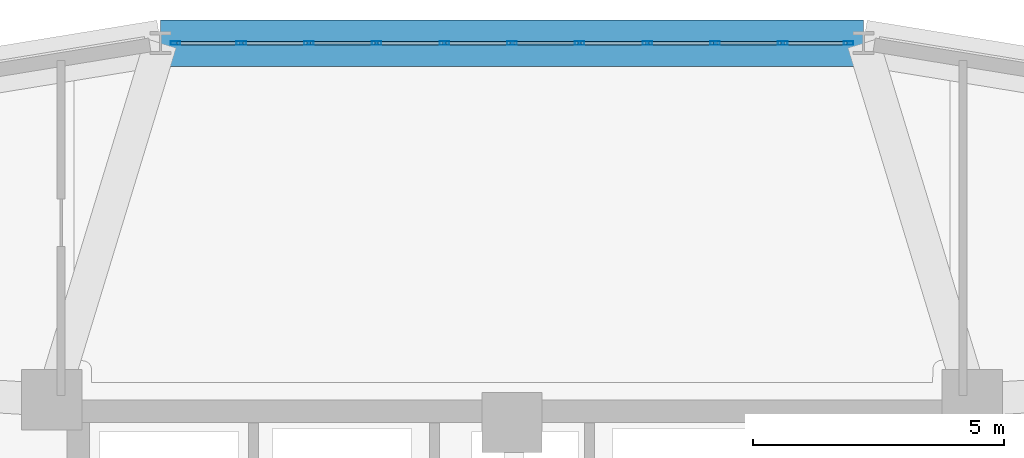
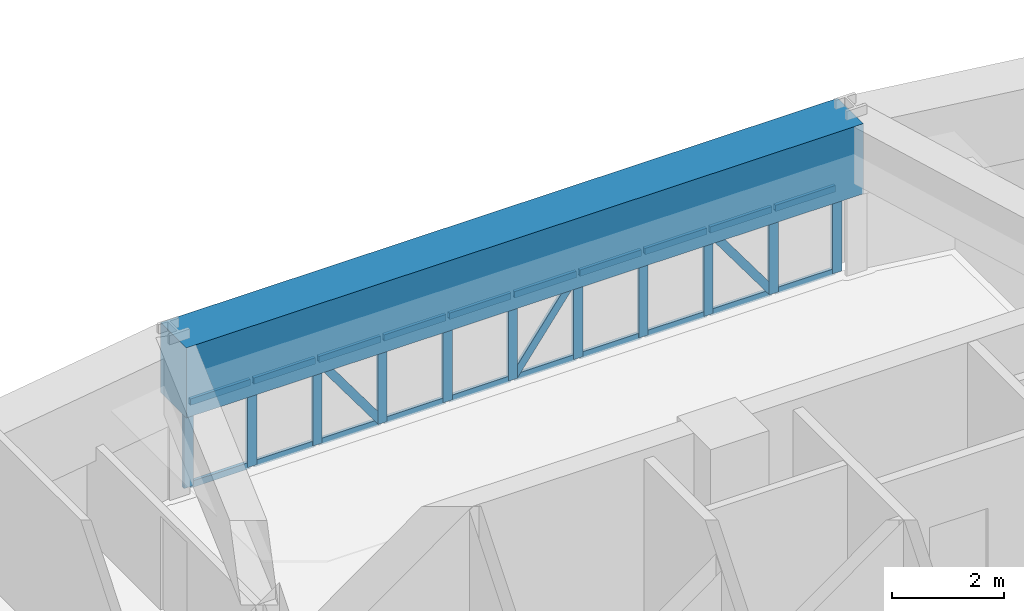
# One storey, part 8 of 15: 34 members, 1 beam, 1 element without a shape of its own.
"""IFC4 building model written with IfcOpenShell, lengths in metres."""

from ifc_helpers import new_model, si_unit, derived_unit, direction, frame, origin, origin_2d, place, context, subcontext, project, spatial, rectangle, hollow_rectangle, extrude, source, transform, mapped, material, layer, layer_set, material_profile, profile_set, type_object, element, aggregate, save


model = new_model("IFC4")

# Units and contexts
model_context = context("Model", 3, precision=1e-05, world=origin(), true_north=direction((0.0, 1.0)))
body_context = subcontext(model_context, "Body", "Model", "MODEL_VIEW")
ifc_project = project(units=[si_unit("LENGTHUNIT", "METRE"), si_unit("AREAUNIT", "SQUARE_METRE"), si_unit("VOLUMEUNIT", "CUBIC_METRE"), si_unit("PLANEANGLEUNIT", "RADIAN"), si_unit("MASSUNIT", "GRAM", prefix="KILO"), derived_unit("THERMALTRANSMITTANCEUNIT", [(si_unit("POWERUNIT", "WATT"), 1), (si_unit("LENGTHUNIT", "METRE"), -2), (si_unit("THERMODYNAMICTEMPERATUREUNIT", "KELVIN"), -1)])], contexts=[model_context])

# Site, building, storey
site_placement = place(None, origin())
site = spatial("IfcSite", under=ifc_project, at=site_placement, CompositionType="ELEMENT")
building_placement = place(site_placement, origin())
building = spatial("IfcBuilding", under=site, at=building_placement, Name="Korsvarv Bourse and Concert Hall", CompositionType="ELEMENT")
storey_placement = place(building_placement, frame((0.0, 0.0, 113.39990234375)))
storey = spatial("IfcBuildingStorey", under=building, at=storey_placement, Name="L28", CompositionType="ELEMENT", Elevation=113.39990234375)

# Beam
ifc_material_1 = material(Name="Concrete C50/60", Category="concrete")
ifc_material_profile_1 = material_profile(ifc_material_1, rectangle(XDim=0.919921875, YDim=1.530029296875, at=origin_2d()), Name="RC-BM 920x1530")
ifc_profile_set_1 = profile_set([ifc_material_profile_1], Name="Concrete C50/60")
beam_type = type_object("IfcBeamType", Name="BM-TR-154", PredefinedType="BEAM", material=ifc_profile_set_1)
shared_shape_1 = source(origin(), body_context, "Body", "SweptSolid", [
    extrude(rectangle(XDim=0.919921875, YDim=1.530029296875, at=origin_2d()), origin(), (0.0, 0.0, 1.0), 13.97607421875),
])
beam_placement = place(storey_placement, frame((42.988037109375, 54.344482421875, 2.635009765625), z_axis=(-1.0, 0.0, 0.0), x_axis=(0.0, -1.0, 0.0)))
element("IfcBeam", 1, at=beam_placement, inside=storey, type_object=beam_type, Name="L28 beam B-TR6", PredefinedType="BEAM", context=body_context, shape_type="MappedRepresentation", body=[
    mapped(shared_shape_1, transform((0.0, 0.0, 0.0), scale=1.0)),
])

# Curtain wall, members
ifc_material_2 = material(Name="Anodised aluminium and triple low-E glazing", Category="glass")
ifc_layer = layer(ifc_material_2, 0.2099609375)
ifc_layer_set = layer_set([ifc_layer], Name="Anodised aluminium and triple low-E glazing")
curtain_wall_type = type_object("IfcCurtainWallType", Name="CW-SYS-2", PredefinedType="NOTDEFINED", material=ifc_layer_set)
curtain_wall_placement = place(storey_placement, origin())
curtain_wall = element("IfcCurtainWall", 2, at=curtain_wall_placement, inside=storey, type_object=curtain_wall_type, Name="L28 CW2 curtain wall CW-L28-F03", PredefinedType="NOTDEFINED")
ifc_material_3 = material(Name="Extruded aluminium EN AW-6063 T66", Category="aluminium")
ifc_material_profile_2 = material_profile(ifc_material_3, hollow_rectangle(XDim=0.070068359375, YDim=0.18994140625, WallThickness=0.0048828125, at=origin_2d()), Name="ALU-M 70x190")
ifc_profile_set_2 = profile_set([ifc_material_profile_2], Name="Extruded aluminium EN AW-6063 T66")
member_type_1 = type_object("IfcMemberType", Name="CWM-190", PredefinedType="MULLION", material=ifc_profile_set_2)
shared_shape_2 = source(origin(), body_context, "Body", "SweptSolid", [
    extrude(hollow_rectangle(XDim=0.070068359375, YDim=0.18994140625, WallThickness=0.0048828125, at=origin_2d()), origin(), (0.0, 0.0, 1.0), 1.8701171875),
])
member_1_placement = place(storey_placement, frame((42.694091796875, 54.344482421875, 0.0), z_axis=(0.0, 0.0, 1.0), x_axis=(0.0, -1.0, 0.0)))
member_1 = element("IfcMember", 3, at=member_1_placement, type_object=member_type_1, Name="CW2 mullion 1", PredefinedType="MULLION", context=body_context, shape_type="MappedRepresentation", body=[
    mapped(shared_shape_2, transform((0.0, 0.0, 0.0), scale=1.0)),
])
member_2_placement = place(storey_placement, frame((41.38330078125, 54.344482421875, 0.0), z_axis=(0.0, 0.0, 1.0), x_axis=(0.0, -1.0, 0.0)))
member_2 = element("IfcMember", 4, at=member_2_placement, type_object=member_type_1, Name="CW2 mullion 2", PredefinedType="MULLION", context=body_context, shape_type="MappedRepresentation", body=[
    mapped(shared_shape_2, transform((0.0, 0.0, 0.0), scale=1.0)),
])
member_3_placement = place(storey_placement, frame((40.037353515625, 54.344482421875, 0.0), z_axis=(0.0, 0.0, 1.0), x_axis=(0.0, -1.0, 0.0)))
member_3 = element("IfcMember", 5, at=member_3_placement, type_object=member_type_1, Name="CW2 mullion 3", PredefinedType="MULLION", context=body_context, shape_type="MappedRepresentation", body=[
    mapped(shared_shape_2, transform((0.0, 0.0, 0.0), scale=1.0)),
])
member_4_placement = place(storey_placement, frame((38.691650390625, 54.344482421875, 0.0), z_axis=(0.0, 0.0, 1.0), x_axis=(0.0, -1.0, 0.0)))
member_4 = element("IfcMember", 6, at=member_4_placement, type_object=member_type_1, Name="CW2 mullion 4", PredefinedType="MULLION", context=body_context, shape_type="MappedRepresentation", body=[
    mapped(shared_shape_2, transform((0.0, 0.0, 0.0), scale=1.0)),
])
member_5_placement = place(storey_placement, frame((37.345703125, 54.344482421875, 0.0), z_axis=(0.0, 0.0, 1.0), x_axis=(0.0, -1.0, 0.0)))
member_5 = element("IfcMember", 7, at=member_5_placement, type_object=member_type_1, Name="CW2 mullion 5", PredefinedType="MULLION", context=body_context, shape_type="MappedRepresentation", body=[
    mapped(shared_shape_2, transform((0.0, 0.0, 0.0), scale=1.0)),
])
member_6_placement = place(storey_placement, frame((36.0, 54.344482421875, 0.0), z_axis=(0.0, 0.0, 1.0), x_axis=(0.0, -1.0, 0.0)))
member_6 = element("IfcMember", 8, at=member_6_placement, type_object=member_type_1, Name="CW2 mullion 6", PredefinedType="MULLION", context=body_context, shape_type="MappedRepresentation", body=[
    mapped(shared_shape_2, transform((0.0, 0.0, 0.0), scale=1.0)),
])
member_7_placement = place(storey_placement, frame((34.654296875, 54.344482421875, 0.0), z_axis=(0.0, 0.0, 1.0), x_axis=(0.0, -1.0, 0.0)))
member_7 = element("IfcMember", 9, at=member_7_placement, type_object=member_type_1, Name="CW2 mullion 7", PredefinedType="MULLION", context=body_context, shape_type="MappedRepresentation", body=[
    mapped(shared_shape_2, transform((0.0, 0.0, 0.0), scale=1.0)),
])
member_8_placement = place(storey_placement, frame((33.308349609375, 54.344482421875, 0.0), z_axis=(0.0, 0.0, 1.0), x_axis=(0.0, -1.0, 0.0)))
member_8 = element("IfcMember", 10, at=member_8_placement, type_object=member_type_1, Name="CW2 mullion 8", PredefinedType="MULLION", context=body_context, shape_type="MappedRepresentation", body=[
    mapped(shared_shape_2, transform((0.0, 0.0, 0.0), scale=1.0)),
])
member_9_placement = place(storey_placement, frame((31.962646484375, 54.344482421875, 0.0), z_axis=(0.0, 0.0, 1.0), x_axis=(0.0, -1.0, 0.0)))
member_9 = element("IfcMember", 11, at=member_9_placement, type_object=member_type_1, Name="CW2 mullion 9", PredefinedType="MULLION", context=body_context, shape_type="MappedRepresentation", body=[
    mapped(shared_shape_2, transform((0.0, 0.0, 0.0), scale=1.0)),
])
member_10_placement = place(storey_placement, frame((30.61669921875, 54.344482421875, 0.0), z_axis=(0.0, 0.0, 1.0), x_axis=(0.0, -1.0, 0.0)))
member_10 = element("IfcMember", 12, at=member_10_placement, type_object=member_type_1, Name="CW2 mullion 10", PredefinedType="MULLION", context=body_context, shape_type="MappedRepresentation", body=[
    mapped(shared_shape_2, transform((0.0, 0.0, 0.0), scale=1.0)),
])
member_11_placement = place(storey_placement, frame((29.305908203125, 54.344482421875, 0.0), z_axis=(0.0, 0.0, 1.0), x_axis=(0.0, -1.0, 0.0)))
member_11 = element("IfcMember", 13, at=member_11_placement, type_object=member_type_1, Name="CW2 mullion 11", PredefinedType="MULLION", context=body_context, shape_type="MappedRepresentation", body=[
    mapped(shared_shape_2, transform((0.0, 0.0, 0.0), scale=1.0)),
])
ifc_material_profile_3 = material_profile(ifc_material_3, hollow_rectangle(XDim=0.06494140625, YDim=0.139892578125, WallThickness=0.00390625, at=origin_2d()), Name="ALU-T 65x140")
ifc_profile_set_3 = profile_set([ifc_material_profile_3], Name="Extruded aluminium EN AW-6063 T66")
member_type_2 = type_object("IfcMemberType", Name="CWT-140", PredefinedType="USERDEFINED", material=ifc_profile_set_3)
shared_shape_3 = source(origin(), body_context, "Body", "SweptSolid", [
    extrude(hollow_rectangle(XDim=0.06494140625, YDim=0.139892578125, WallThickness=0.00390625, at=origin_2d()), origin(), (0.0, 0.0, 1.0), 1.24072265625),
])
member_12_placement = place(storey_placement, frame((42.658935546875, 54.344482421875, 0.03271484375), z_axis=(-1.0, 0.0, 0.0), x_axis=(0.0, -1.0, 0.0)))
member_12 = element("IfcMember", 14, at=member_12_placement, type_object=member_type_2, Name="CW2 transom 1.1", ObjectType="TRANSOM", PredefinedType="USERDEFINED", context=body_context, shape_type="MappedRepresentation", body=[
    mapped(shared_shape_3, transform((0.0, 0.0, 0.0), scale=1.0)),
])
member_13_placement = place(storey_placement, frame((42.658935546875, 54.344482421875, 1.837646484375), z_axis=(-1.0, 0.0, 0.0), x_axis=(0.0, -1.0, 0.0)))
member_13 = element("IfcMember", 15, at=member_13_placement, type_object=member_type_2, Name="CW2 transom 1.2", ObjectType="TRANSOM", PredefinedType="USERDEFINED", context=body_context, shape_type="MappedRepresentation", body=[
    mapped(shared_shape_3, transform((0.0, 0.0, 0.0), scale=1.0)),
])
member_14_placement = place(storey_placement, frame((30.581787109375, 54.344482421875, 0.03271484375), z_axis=(-1.0, 0.0, 0.0), x_axis=(0.0, -1.0, 0.0)))
member_14 = element("IfcMember", 16, at=member_14_placement, type_object=member_type_2, Name="CW2 transom 10.1", ObjectType="TRANSOM", PredefinedType="USERDEFINED", context=body_context, shape_type="MappedRepresentation", body=[
    mapped(shared_shape_3, transform((0.0, 0.0, 0.0), scale=1.0)),
])
member_15_placement = place(storey_placement, frame((30.581787109375, 54.344482421875, 1.837646484375), z_axis=(-1.0, 0.0, 0.0), x_axis=(0.0, -1.0, 0.0)))
member_15 = element("IfcMember", 17, at=member_15_placement, type_object=member_type_2, Name="CW2 transom 10.2", ObjectType="TRANSOM", PredefinedType="USERDEFINED", context=body_context, shape_type="MappedRepresentation", body=[
    mapped(shared_shape_3, transform((0.0, 0.0, 0.0), scale=1.0)),
])
shared_shape_4 = source(origin(), body_context, "Body", "SweptSolid", [
    extrude(hollow_rectangle(XDim=0.06494140625, YDim=0.139892578125, WallThickness=0.00390625, at=origin_2d()), origin(), (0.0, 0.0, 1.0), 1.275634765625),
])
member_16_placement = place(storey_placement, frame((41.34814453125, 54.344482421875, 0.03271484375), z_axis=(-1.0, 0.0, 0.0), x_axis=(0.0, -1.0, 0.0)))
member_16 = element("IfcMember", 18, at=member_16_placement, type_object=member_type_2, Name="CW2 transom 2.1", ObjectType="TRANSOM", PredefinedType="USERDEFINED", context=body_context, shape_type="MappedRepresentation", body=[
    mapped(shared_shape_4, transform((0.0, 0.0, 0.0), scale=1.0)),
])
member_17_placement = place(storey_placement, frame((41.34814453125, 54.344482421875, 1.837646484375), z_axis=(-1.0, 0.0, 0.0), x_axis=(0.0, -1.0, 0.0)))
member_17 = element("IfcMember", 19, at=member_17_placement, type_object=member_type_2, Name="CW2 transom 2.2", ObjectType="TRANSOM", PredefinedType="USERDEFINED", context=body_context, shape_type="MappedRepresentation", body=[
    mapped(shared_shape_4, transform((0.0, 0.0, 0.0), scale=1.0)),
])
member_18_placement = place(storey_placement, frame((38.656494140625, 54.344482421875, 0.03271484375), z_axis=(-1.0, 0.0, 0.0), x_axis=(0.0, -1.0, 0.0)))
member_18 = element("IfcMember", 20, at=member_18_placement, type_object=member_type_2, Name="CW2 transom 4.1", ObjectType="TRANSOM", PredefinedType="USERDEFINED", context=body_context, shape_type="MappedRepresentation", body=[
    mapped(shared_shape_4, transform((0.0, 0.0, 0.0), scale=1.0)),
])
member_19_placement = place(storey_placement, frame((38.656494140625, 54.344482421875, 1.837646484375), z_axis=(-1.0, 0.0, 0.0), x_axis=(0.0, -1.0, 0.0)))
member_19 = element("IfcMember", 21, at=member_19_placement, type_object=member_type_2, Name="CW2 transom 4.2", ObjectType="TRANSOM", PredefinedType="USERDEFINED", context=body_context, shape_type="MappedRepresentation", body=[
    mapped(shared_shape_4, transform((0.0, 0.0, 0.0), scale=1.0)),
])
member_20_placement = place(storey_placement, frame((34.619140625, 54.344482421875, 0.03271484375), z_axis=(-1.0, 0.0, 0.0), x_axis=(0.0, -1.0, 0.0)))
member_20 = element("IfcMember", 22, at=member_20_placement, type_object=member_type_2, Name="CW2 transom 7.1", ObjectType="TRANSOM", PredefinedType="USERDEFINED", context=body_context, shape_type="MappedRepresentation", body=[
    mapped(shared_shape_4, transform((0.0, 0.0, 0.0), scale=1.0)),
])
member_21_placement = place(storey_placement, frame((34.619140625, 54.344482421875, 1.837646484375), z_axis=(-1.0, 0.0, 0.0), x_axis=(0.0, -1.0, 0.0)))
member_21 = element("IfcMember", 23, at=member_21_placement, type_object=member_type_2, Name="CW2 transom 7.2", ObjectType="TRANSOM", PredefinedType="USERDEFINED", context=body_context, shape_type="MappedRepresentation", body=[
    mapped(shared_shape_4, transform((0.0, 0.0, 0.0), scale=1.0)),
])
member_22_placement = place(storey_placement, frame((31.927490234375, 54.344482421875, 0.03271484375), z_axis=(-1.0, 0.0, 0.0), x_axis=(0.0, -1.0, 0.0)))
member_22 = element("IfcMember", 24, at=member_22_placement, type_object=member_type_2, Name="CW2 transom 9.1", ObjectType="TRANSOM", PredefinedType="USERDEFINED", context=body_context, shape_type="MappedRepresentation", body=[
    mapped(shared_shape_4, transform((0.0, 0.0, 0.0), scale=1.0)),
])
member_23_placement = place(storey_placement, frame((31.927490234375, 54.344482421875, 1.837646484375), z_axis=(-1.0, 0.0, 0.0), x_axis=(0.0, -1.0, 0.0)))
member_23 = element("IfcMember", 25, at=member_23_placement, type_object=member_type_2, Name="CW2 transom 9.2", ObjectType="TRANSOM", PredefinedType="USERDEFINED", context=body_context, shape_type="MappedRepresentation", body=[
    mapped(shared_shape_4, transform((0.0, 0.0, 0.0), scale=1.0)),
])
ifc_material_profile_4 = material_profile(ifc_material_3, hollow_rectangle(XDim=0.06494140625, YDim=0.1650390625, WallThickness=0.0048828125, at=origin_2d()), Name="ALU-M 65x165")
ifc_profile_set_4 = profile_set([ifc_material_profile_4], Name="Extruded aluminium EN AW-6063 T66")
member_type_3 = type_object("IfcMemberType", Name="CWM-165", PredefinedType="MULLION", material=ifc_profile_set_4)
shared_shape_5 = source(origin(), body_context, "Body", "SweptSolid", [
    extrude(hollow_rectangle(XDim=0.06494140625, YDim=0.1650390625, WallThickness=0.0048828125, at=origin_2d()), origin(), (0.0, 0.0, 1.0), 2.157470703125),
])
member_24_placement = place(storey_placement, frame((41.34814453125, 54.344482421875, 0.065185546875), z_axis=(-0.591255732125, 0.0, 0.806484134518), x_axis=(0.0, -1.0, 0.0)))
member_24 = element("IfcMember", 26, at=member_24_placement, type_object=member_type_3, Name="CW2 diagonal mullion 2", PredefinedType="MULLION", context=body_context, shape_type="MappedRepresentation", body=[
    mapped(shared_shape_5, transform((0.0, 0.0, 0.0), scale=1.0)),
])
shared_shape_6 = source(origin(), body_context, "Body", "SweptSolid", [
    extrude(hollow_rectangle(XDim=0.06494140625, YDim=0.139892578125, WallThickness=0.00390625, at=origin_2d()), origin(), (0.0, 0.0, 1.0), 1.27587890625),
])
member_25_placement = place(storey_placement, frame((40.00244140625, 54.344482421875, 0.03271484375), z_axis=(-1.0, 0.0, 0.0), x_axis=(0.0, -1.0, 0.0)))
member_25 = element("IfcMember", 27, at=member_25_placement, type_object=member_type_2, Name="CW2 transom 3.1", ObjectType="TRANSOM", PredefinedType="USERDEFINED", context=body_context, shape_type="MappedRepresentation", body=[
    mapped(shared_shape_6, transform((0.0, 0.0, 0.0), scale=1.0)),
])
member_26_placement = place(storey_placement, frame((40.00244140625, 54.344482421875, 1.837646484375), z_axis=(-1.0, 0.0, 0.0), x_axis=(0.0, -1.0, 0.0)))
member_26 = element("IfcMember", 28, at=member_26_placement, type_object=member_type_2, Name="CW2 transom 3.2", ObjectType="TRANSOM", PredefinedType="USERDEFINED", context=body_context, shape_type="MappedRepresentation", body=[
    mapped(shared_shape_6, transform((0.0, 0.0, 0.0), scale=1.0)),
])
member_27_placement = place(storey_placement, frame((37.310791015625, 54.344482421875, 0.03271484375), z_axis=(-1.0, 0.0, 0.0), x_axis=(0.0, -1.0, 0.0)))
member_27 = element("IfcMember", 29, at=member_27_placement, type_object=member_type_2, Name="CW2 transom 5.1", ObjectType="TRANSOM", PredefinedType="USERDEFINED", context=body_context, shape_type="MappedRepresentation", body=[
    mapped(shared_shape_6, transform((0.0, 0.0, 0.0), scale=1.0)),
])
member_28_placement = place(storey_placement, frame((37.310791015625, 54.344482421875, 1.837646484375), z_axis=(-1.0, 0.0, 0.0), x_axis=(0.0, -1.0, 0.0)))
member_28 = element("IfcMember", 30, at=member_28_placement, type_object=member_type_2, Name="CW2 transom 5.2", ObjectType="TRANSOM", PredefinedType="USERDEFINED", context=body_context, shape_type="MappedRepresentation", body=[
    mapped(shared_shape_6, transform((0.0, 0.0, 0.0), scale=1.0)),
])
member_29_placement = place(storey_placement, frame((35.965087890625, 54.344482421875, 0.03271484375), z_axis=(-1.0, 0.0, 0.0), x_axis=(0.0, -1.0, 0.0)))
member_29 = element("IfcMember", 31, at=member_29_placement, type_object=member_type_2, Name="CW2 transom 6.1", ObjectType="TRANSOM", PredefinedType="USERDEFINED", context=body_context, shape_type="MappedRepresentation", body=[
    mapped(shared_shape_6, transform((0.0, 0.0, 0.0), scale=1.0)),
])
member_30_placement = place(storey_placement, frame((35.965087890625, 54.344482421875, 1.837646484375), z_axis=(-1.0, 0.0, 0.0), x_axis=(0.0, -1.0, 0.0)))
member_30 = element("IfcMember", 32, at=member_30_placement, type_object=member_type_2, Name="CW2 transom 6.2", ObjectType="TRANSOM", PredefinedType="USERDEFINED", context=body_context, shape_type="MappedRepresentation", body=[
    mapped(shared_shape_6, transform((0.0, 0.0, 0.0), scale=1.0)),
])
member_31_placement = place(storey_placement, frame((33.2734375, 54.344482421875, 0.03271484375), z_axis=(-1.0, 0.0, 0.0), x_axis=(0.0, -1.0, 0.0)))
member_31 = element("IfcMember", 33, at=member_31_placement, type_object=member_type_2, Name="CW2 transom 8.1", ObjectType="TRANSOM", PredefinedType="USERDEFINED", context=body_context, shape_type="MappedRepresentation", body=[
    mapped(shared_shape_6, transform((0.0, 0.0, 0.0), scale=1.0)),
])
member_32_placement = place(storey_placement, frame((33.2734375, 54.344482421875, 1.837646484375), z_axis=(-1.0, 0.0, 0.0), x_axis=(0.0, -1.0, 0.0)))
member_32 = element("IfcMember", 34, at=member_32_placement, type_object=member_type_2, Name="CW2 transom 8.2", ObjectType="TRANSOM", PredefinedType="USERDEFINED", context=body_context, shape_type="MappedRepresentation", body=[
    mapped(shared_shape_6, transform((0.0, 0.0, 0.0), scale=1.0)),
])
shared_shape_7 = source(origin(), body_context, "Body", "SweptSolid", [
    extrude(hollow_rectangle(XDim=0.06494140625, YDim=0.1650390625, WallThickness=0.0048828125, at=origin_2d()), origin(), (0.0, 0.0, 1.0), 2.15771484375),
])
member_33_placement = place(storey_placement, frame((36.034912109375, 54.344482421875, 0.065185546875), z_axis=(0.591329325232, 0.0, 0.806430176221), x_axis=(0.0, 1.0, 0.0)))
member_33 = element("IfcMember", 35, at=member_33_placement, type_object=member_type_3, Name="CW2 diagonal mullion 5", PredefinedType="MULLION", context=body_context, shape_type="MappedRepresentation", body=[
    mapped(shared_shape_7, transform((0.0, 0.0, 0.0), scale=1.0)),
])
member_34_placement = place(storey_placement, frame((33.2734375, 54.344482421875, 0.065185546875), z_axis=(-0.591329325232, 0.0, 0.806430176221), x_axis=(0.0, -1.0, 0.0)))
member_34 = element("IfcMember", 36, at=member_34_placement, type_object=member_type_3, Name="CW2 diagonal mullion 8", PredefinedType="MULLION", context=body_context, shape_type="MappedRepresentation", body=[
    mapped(shared_shape_7, transform((0.0, 0.0, 0.0), scale=1.0)),
])
aggregate(curtain_wall, [member_1, member_2, member_3, member_4, member_5, member_6, member_7, member_8, member_9, member_10, member_11, member_12, member_13, member_16, member_17, member_24, member_25, member_26, member_18, member_19, member_27, member_28, member_33, member_29, member_30, member_20, member_21, member_31, member_32, member_34, member_22, member_23, member_14, member_15])

save(model, "model.ifc")
